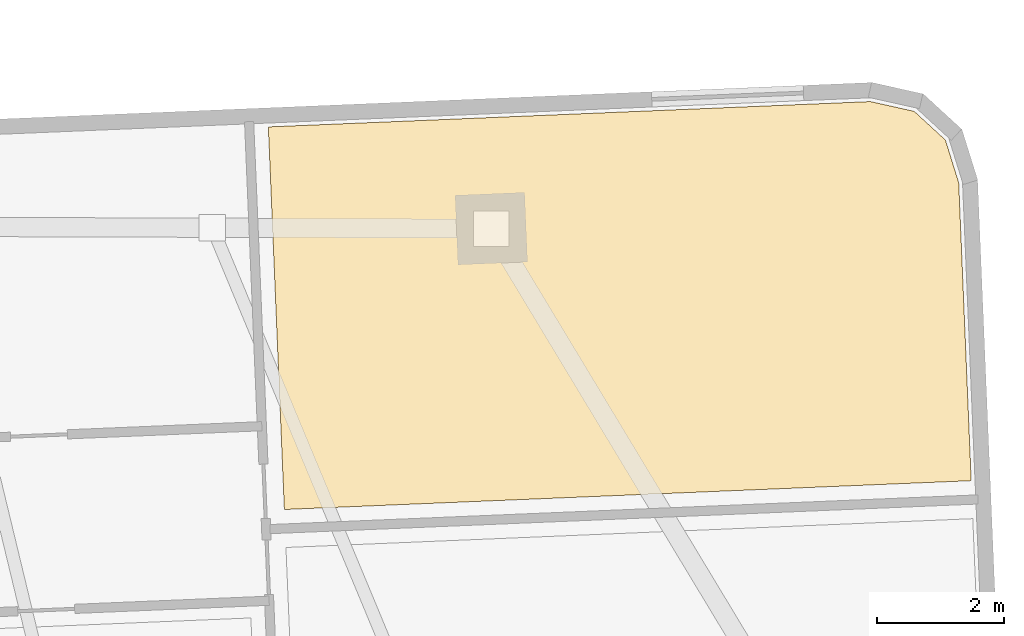
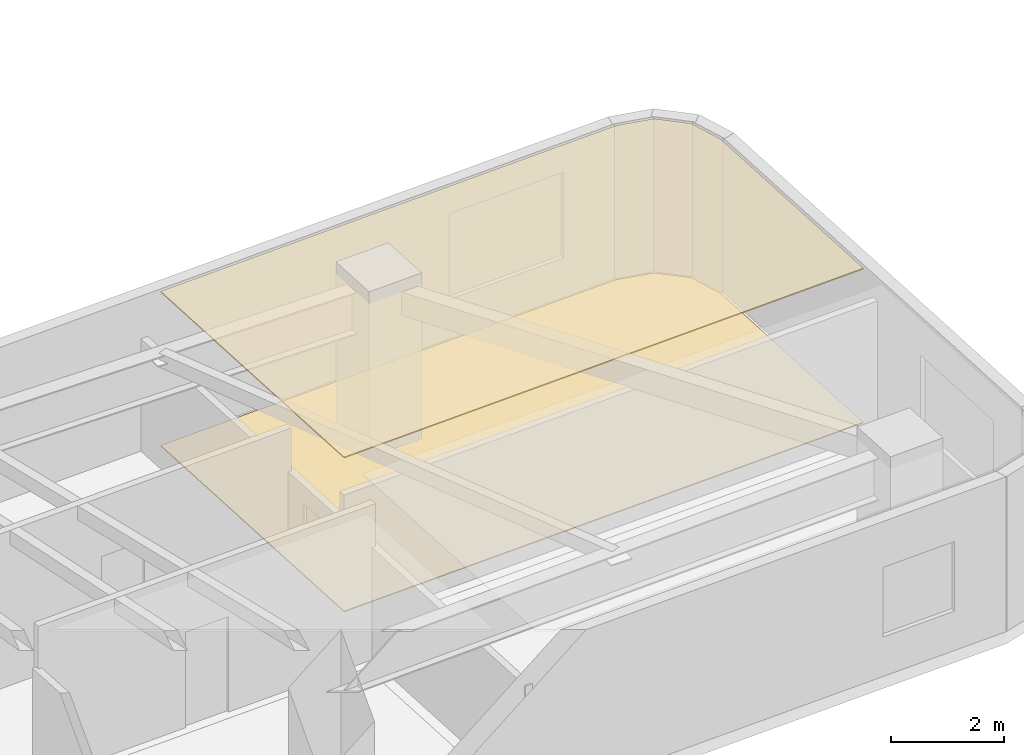
# One storey, part 10 of 10: 2 coverings.
"""IFC4 building model written with IfcOpenShell, lengths in metres."""

from ifc_helpers import new_model, si_unit, direction, frame, origin, place, context, subcontext, project, spatial, polyline, outline, extrude, material, layer, layer_set, type_object, element, save


model = new_model("IFC4")

# Units and contexts
model_context = context("Model", 3, precision=1e-05, world=origin(), true_north=direction((0.0, 1.0)))
body_context = subcontext(model_context, "Body", "Model", "MODEL_VIEW")
ifc_project = project(units=[si_unit("LENGTHUNIT", "METRE"), si_unit("AREAUNIT", "SQUARE_METRE"), si_unit("VOLUMEUNIT", "CUBIC_METRE"), si_unit("PLANEANGLEUNIT", "RADIAN"), si_unit("MASSUNIT", "GRAM", prefix="KILO")], contexts=[model_context])

# Site, building, storey
site_placement = place(None, origin())
site = spatial("IfcSite", under=ifc_project, at=site_placement, CompositionType="ELEMENT")
building_placement = place(site_placement, origin())
building = spatial("IfcBuilding", under=site, at=building_placement, Name="Solmarez Civic Tower", CompositionType="ELEMENT")
storey_placement = place(building_placement, frame((0.0, 0.0, 42.47998046875)))
storey = spatial("IfcBuildingStorey", under=building, at=storey_placement, Name="L10", CompositionType="ELEMENT", Elevation=42.47998046875)

# Coverings
ifc_material_1 = material(Name="Perforated Mineral-Fibre Acoustic Ceiling")
ifc_layer_1 = layer(ifc_material_1, 0.02490234375)
ifc_layer_set_1 = layer_set([ifc_layer_1], Name="Perforated Mineral-Fibre Acoustic Ceiling")
covering_type_1 = type_object("IfcCoveringType", Name="COV-CEIL-ACOUSTIC", PredefinedType="CEILING", material=ifc_layer_set_1)
covering_1_placement = place(storey_placement, frame((0.0, 0.0, 3.31494140625)))
element("IfcCovering", 1, at=covering_1_placement, inside=storey, type_object=covering_type_1, Name="L10 Suspended Acoustic Ceiling 4", PredefinedType="CEILING", context=body_context, shape_type="SweptSolid", body=[
    extrude(outline(polyline([(32.468994140625, 1.410888671875), (32.27197265625, 6.116943359375), (32.06103515625, 6.79296875), (31.569091796875, 7.2451171875), (30.876953125, 7.39990234375), (21.365966796875, 7.0), (21.618896484375, 0.9560546875), (32.468994140625, 1.410888671875)])), origin(), (0.0, 0.0, 1.0), 0.025146484375),
])
ifc_material_2 = material(Name="Polished Tropical Stone Terrazzo Flooring", Category="masonry")
ifc_layer_2 = layer(ifc_material_2, 0.02001953125)
ifc_layer_set_2 = layer_set([ifc_layer_2], Name="Polished Tropical Stone Terrazzo Flooring")
covering_type_2 = type_object("IfcCoveringType", Name="COV-FLOOR-TERRAZZO", PredefinedType="FLOORING", material=ifc_layer_set_2)
covering_2_placement = place(storey_placement, origin())
element("IfcCovering", 2, at=covering_2_placement, inside=storey, type_object=covering_type_2, Name="L10 Terrazzo Floor Finish 4", PredefinedType="FLOORING", context=body_context, shape_type="SweptSolid", body=[
    extrude(outline(polyline([(32.468994140625, 1.410888671875), (32.27197265625, 6.116943359375), (32.06103515625, 6.79296875), (31.569091796875, 7.2451171875), (30.876953125, 7.39990234375), (21.365966796875, 7.0), (21.618896484375, 0.9560546875), (32.468994140625, 1.410888671875)])), origin(), (0.0, 0.0, 1.0), 0.02001953125),
])

save(model, "model.ifc")
